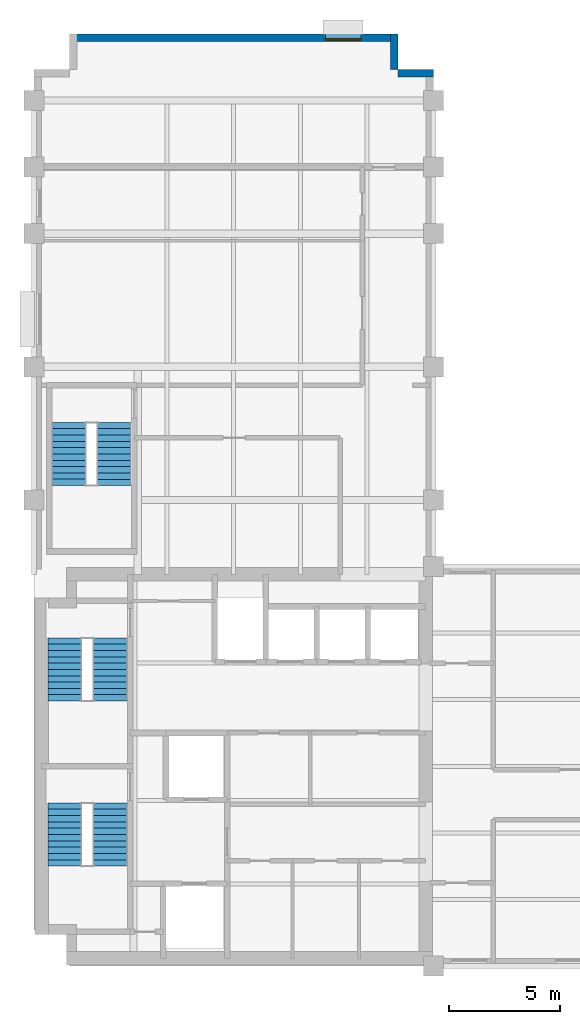
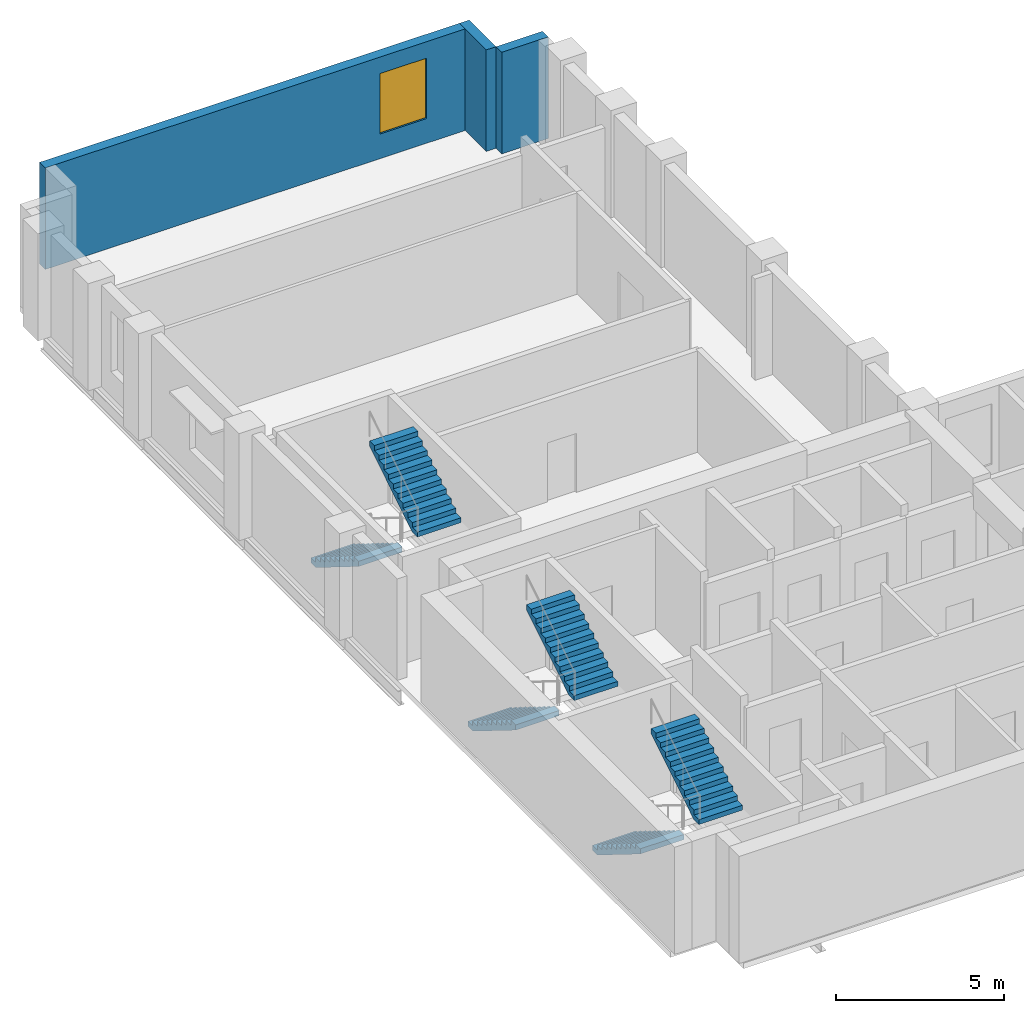
# One storey, part 5 of 7: 6 stair flights, 3 walls, 1 window, 1 opening, 3 elements without a shape of their own.
"""IFC4 building model written with IfcOpenShell, lengths in metres."""

from ifc_helpers import new_model, si_unit, direction, frame, frame_2d, origin, place, context, subcontext, project, spatial, polyline, rectangle, outline, extrude, material, layer, layer_set, type_object, element, fill, aggregate, save


model = new_model("IFC4")

# Units and contexts
model_context = context("Model", 3, precision=1e-05, world=origin(), true_north=direction((0.0, 1.0)))
body_context = subcontext(model_context, "Body", "Model", "MODEL_VIEW")
ifc_project = project(units=[si_unit("LENGTHUNIT", "METRE"), si_unit("AREAUNIT", "SQUARE_METRE"), si_unit("VOLUMEUNIT", "CUBIC_METRE"), si_unit("PLANEANGLEUNIT", "RADIAN"), si_unit("MASSUNIT", "GRAM", prefix="KILO")], contexts=[model_context])

# Site, building, storey
site_placement = place(None, origin())
site = spatial("IfcSite", under=ifc_project, at=site_placement, CompositionType="ELEMENT")
building_placement = place(site_placement, origin())
building = spatial("IfcBuilding", under=site, at=building_placement, Name="Mawjdan Bourse Tower", CompositionType="ELEMENT")
storey_placement = place(building_placement, frame((0.0, 0.0, 168.300048828125)))
storey = spatial("IfcBuildingStorey", under=building, at=storey_placement, Name="L40", CompositionType="ELEMENT", Elevation=168.300048828125)

# Walls
ifc_material_1 = material(Name="Brick Masonry Buff", Category="masonry")
ifc_layer = layer(ifc_material_1, 0.340087890625)
ifc_layer_set = layer_set([ifc_layer], Name="Brick Masonry Buff")
wall_type = type_object("IfcWallType", Name="WL-BRK-SPN-340", PredefinedType="STANDARD", material=ifc_layer_set)
for number, where, z_axis, x_axis, name in (
    (1, (24.0, 43.22998046875, 0.0), (0.0, 0.0, 1.0), (-1.0, 0.0, 0.0), "L40 Exterior Brick Wall 9"),
    (2, (22.22998046875, 43.39990234375, 0.0), (0.0, 0.0, 1.0), (0.0, 1.0, 0.0), "L40 Exterior Brick Wall 10"),
):
    element("IfcWall", number, at=place(storey_placement, frame(where, z_axis=z_axis, x_axis=x_axis)), inside=storey, type_object=wall_type, Name=name, PredefinedType="STANDARD", context=body_context, shape_type="SweptSolid", body=[
        extrude(rectangle(XDim=1.60009765625, YDim=0.340087890625, at=frame_2d((0.800048828125, 0.0))), origin(), (0.0, 0.0, 1.0), 3.699951171875),
    ])

# Wall, opening, window
wall_placement = place(storey_placement, frame((22.39990234375, 44.830078125, 0.0), z_axis=(0.0, 0.0, 1.0), x_axis=(-1.0, 0.0, 0.0)))
wall = element("IfcWall", 3, at=wall_placement, inside=storey, type_object=wall_type, Name="L40 Exterior Brick Wall 11", PredefinedType="STANDARD", context=body_context, shape_type="SweptSolid", body=[
    extrude(rectangle(XDim=14.7998046875, YDim=0.340087890625, at=frame_2d((7.39990234375, 0.0))), origin(), (0.0, 0.0, 1.0), 3.699951171875),
])
opening_placement = place(wall_placement, frame((1.666748046875, 0.0, 0.89990234375)))
opening = element("IfcOpeningElement", 4, at=opening_placement, cuts=wall, Name="Opening W-L40-07", PredefinedType="OPENING", context=body_context, shape_type="SweptSolid", body=[
    extrude(rectangle(XDim=1.60009765625, YDim=2.199951171875, at=frame_2d((0.800048828125, 1.10009765625))), frame((0.0, 0.18017578125, 0.0), z_axis=(0.0, -1.0, 0.0), x_axis=(1.0, 0.0, 0.0)), (0.0, 0.0, 1.0), 0.360107421875),
])
ifc_material_2 = material(Name="Solar-Control Clear Double Glazing", Category="glass")
window_type = type_object("IfcWindowType", Name="WN-Z3-1600", PartitioningType="SINGLE_PANEL", PredefinedType="WINDOW", material=ifc_material_2)
window_placement = place(opening_placement, origin())
window = element("IfcWindow", 5, at=window_placement, inside=storey, type_object=window_type, Name="L40 Deep-Set Masonry Window W-L40-07", OverallHeight=2.199951171875, OverallWidth=1.60009765625, PartitioningType="SINGLE_PANEL", PredefinedType="WINDOW", context=body_context, shape_type="SweptSolid", body=[
    extrude(rectangle(XDim=1.60009765625, YDim=2.199951171875, at=frame_2d((0.800048828125, 1.10009765625))), frame((0.0, 0.110107421875, 0.0), z_axis=(0.0, -1.0, 0.0), x_axis=(1.0, 0.0, 0.0)), (0.0, 0.0, 1.0), 0.06005859375),
])
fill(opening, window)

# Stair, stair flights
ifc_material_3 = material(Name="Concrete C50/60", Category="concrete")
stair_type = type_object("IfcStairType", Name="STR-CORE-1500", PredefinedType="HALF_TURN_STAIR", material=ifc_material_3)
stair_1_placement = place(storey_placement, origin())
stair_1 = element("IfcStair", 6, at=stair_1_placement, inside=storey, type_object=stair_type, Name="L40 Exit Stair 1 (Core South-West)", PredefinedType="HALF_TURN_STAIR")
stair_flight_type = type_object("IfcStairFlightType", Name="SFL-RC-1500", PredefinedType="STRAIGHT", material=ifc_material_3)
stair_flight_1_placement = place(storey_placement, frame((7.389892578125, 10.35009765625, 0.0), z_axis=(0.0, 0.0, 1.0), x_axis=(0.0, -1.0, 0.0)))
stair_flight_1 = element("IfcStairFlight", 7, at=stair_flight_1_placement, type_object=stair_flight_type, Name="ST1-L40 flight 1", NumberOfRisers=11, NumberOfTreads=10, PredefinedType="STRAIGHT", RiserHeight=0.177273, TreadLength=0.285, context=body_context, shape_type="SweptSolid", body=[
    extrude(outline(polyline([(0.0, 0.0), (0.0, 0.17724609375), (0.284912109375, 0.17724609375), (0.284912109375, 0.3544921875), (0.570068359375, 0.3544921875), (0.570068359375, 0.53173828125), (0.85498046875, 0.53173828125), (0.85498046875, 0.708984375), (1.139892578125, 0.708984375), (1.139892578125, 0.886474609375), (1.425048828125, 0.886474609375), (1.425048828125, 1.063720703125), (1.7099609375, 1.063720703125), (1.7099609375, 1.240966796875), (1.9951171875, 1.240966796875), (1.9951171875, 1.418212890625), (2.280029296875, 1.418212890625), (2.280029296875, 1.595458984375), (2.56494140625, 1.595458984375), (2.56494140625, 1.772705078125), (2.85009765625, 1.772705078125), (2.85009765625, 1.949951171875), (2.85009765625, 1.58447265625), (0.302734375, 0.0), (0.0, 0.0)])), frame((0.0, 0.75, 0.0), z_axis=(0.0, -1.0, 0.0), x_axis=(1.0, 0.0, 0.0)), (0.0, 0.0, 1.0), 1.5),
])
stair_flight_2_placement = place(storey_placement, frame((9.409912109375, 7.5, 1.949951171875), z_axis=(0.0, 0.0, 1.0), x_axis=(0.0, 1.0, 0.0)))
stair_flight_2 = element("IfcStairFlight", 8, at=stair_flight_2_placement, type_object=stair_flight_type, Name="ST1-L40 flight 2", NumberOfRisers=11, NumberOfTreads=10, PredefinedType="STRAIGHT", RiserHeight=0.177273, TreadLength=0.285, context=body_context, shape_type="SweptSolid", body=[
    extrude(outline(polyline([(0.0, 0.0), (0.0, 0.17724609375), (0.284912109375, 0.17724609375), (0.284912109375, 0.3544921875), (0.570068359375, 0.3544921875), (0.570068359375, 0.53173828125), (0.85498046875, 0.53173828125), (0.85498046875, 0.708984375), (1.139892578125, 0.708984375), (1.139892578125, 0.886474609375), (1.425048828125, 0.886474609375), (1.425048828125, 1.063720703125), (1.7099609375, 1.063720703125), (1.7099609375, 1.240966796875), (1.9951171875, 1.240966796875), (1.9951171875, 1.418212890625), (2.280029296875, 1.418212890625), (2.280029296875, 1.595458984375), (2.56494140625, 1.595458984375), (2.56494140625, 1.772705078125), (2.85009765625, 1.772705078125), (2.85009765625, 1.949951171875), (2.85009765625, 1.58447265625), (0.302734375, 0.0), (0.0, 0.0)])), frame((0.0, 0.75, 0.0), z_axis=(0.0, -1.0, 0.0), x_axis=(1.0, 0.0, 0.0)), (0.0, 0.0, 1.0), 1.5),
])
aggregate(stair_1, [stair_flight_1, stair_flight_2])

stair_2_placement = place(storey_placement, origin())
stair_2 = element("IfcStair", 9, at=stair_2_placement, inside=storey, type_object=stair_type, Name="L40 Exit Stair 2 (Core North-West)", PredefinedType="HALF_TURN_STAIR")
stair_flight_3_placement = place(storey_placement, frame((7.389892578125, 17.7900390625, 0.0), z_axis=(0.0, 0.0, 1.0), x_axis=(0.0, -1.0, 0.0)))
stair_flight_3 = element("IfcStairFlight", 10, at=stair_flight_3_placement, type_object=stair_flight_type, Name="ST2-L40 flight 1", NumberOfRisers=11, NumberOfTreads=10, PredefinedType="STRAIGHT", RiserHeight=0.177273, TreadLength=0.285, context=body_context, shape_type="SweptSolid", body=[
    extrude(outline(polyline([(0.0, 0.0), (0.0, 0.17724609375), (0.284912109375, 0.17724609375), (0.284912109375, 0.3544921875), (0.570068359375, 0.3544921875), (0.570068359375, 0.53173828125), (0.85498046875, 0.53173828125), (0.85498046875, 0.708984375), (1.139892578125, 0.708984375), (1.139892578125, 0.886474609375), (1.425048828125, 0.886474609375), (1.425048828125, 1.063720703125), (1.7099609375, 1.063720703125), (1.7099609375, 1.240966796875), (1.9951171875, 1.240966796875), (1.9951171875, 1.418212890625), (2.280029296875, 1.418212890625), (2.280029296875, 1.595458984375), (2.56494140625, 1.595458984375), (2.56494140625, 1.772705078125), (2.85009765625, 1.772705078125), (2.85009765625, 1.949951171875), (2.85009765625, 1.58447265625), (0.302734375, 0.0), (0.0, 0.0)])), frame((0.0, 0.75, 0.0), z_axis=(0.0, -1.0, 0.0), x_axis=(1.0, 0.0, 0.0)), (0.0, 0.0, 1.0), 1.5),
])
stair_flight_4_placement = place(storey_placement, frame((9.409912109375, 14.93994140625, 1.949951171875), z_axis=(0.0, 0.0, 1.0), x_axis=(0.0, 1.0, 0.0)))
stair_flight_4 = element("IfcStairFlight", 11, at=stair_flight_4_placement, type_object=stair_flight_type, Name="ST2-L40 flight 2", NumberOfRisers=11, NumberOfTreads=10, PredefinedType="STRAIGHT", RiserHeight=0.177273, TreadLength=0.285, context=body_context, shape_type="SweptSolid", body=[
    extrude(outline(polyline([(0.0, 0.0), (0.0, 0.17724609375), (0.284912109375, 0.17724609375), (0.284912109375, 0.3544921875), (0.570068359375, 0.3544921875), (0.570068359375, 0.53173828125), (0.85498046875, 0.53173828125), (0.85498046875, 0.708984375), (1.139892578125, 0.708984375), (1.139892578125, 0.886474609375), (1.425048828125, 0.886474609375), (1.425048828125, 1.063720703125), (1.7099609375, 1.063720703125), (1.7099609375, 1.240966796875), (1.9951171875, 1.240966796875), (1.9951171875, 1.418212890625), (2.280029296875, 1.418212890625), (2.280029296875, 1.595458984375), (2.56494140625, 1.595458984375), (2.56494140625, 1.772705078125), (2.85009765625, 1.772705078125), (2.85009765625, 1.949951171875), (2.85009765625, 1.58447265625), (0.302734375, 0.0), (0.0, 0.0)])), frame((0.0, 0.75, 0.0), z_axis=(0.0, -1.0, 0.0), x_axis=(1.0, 0.0, 0.0)), (0.0, 0.0, 1.0), 1.5),
])
aggregate(stair_2, [stair_flight_3, stair_flight_4])

stair_3_placement = place(storey_placement, origin())
stair_3 = element("IfcStair", 12, at=stair_3_placement, inside=storey, type_object=stair_type, Name="L40 Exit Stair 3 (North Wing)", PredefinedType="HALF_TURN_STAIR")
stair_flight_5_placement = place(storey_placement, frame((7.590087890625, 27.5, 0.0), z_axis=(0.0, 0.0, 1.0), x_axis=(0.0, -1.0, 0.0)))
stair_flight_5 = element("IfcStairFlight", 13, at=stair_flight_5_placement, type_object=stair_flight_type, Name="ST3-L40 flight 1", NumberOfRisers=11, NumberOfTreads=10, PredefinedType="STRAIGHT", RiserHeight=0.177273, TreadLength=0.285, context=body_context, shape_type="SweptSolid", body=[
    extrude(outline(polyline([(0.0, 0.0), (0.0, 0.17724609375), (0.284912109375, 0.17724609375), (0.284912109375, 0.3544921875), (0.570068359375, 0.3544921875), (0.570068359375, 0.53173828125), (0.85498046875, 0.53173828125), (0.85498046875, 0.708984375), (1.139892578125, 0.708984375), (1.139892578125, 0.886474609375), (1.425048828125, 0.886474609375), (1.425048828125, 1.063720703125), (1.7099609375, 1.063720703125), (1.7099609375, 1.240966796875), (1.9951171875, 1.240966796875), (1.9951171875, 1.418212890625), (2.280029296875, 1.418212890625), (2.280029296875, 1.595458984375), (2.56494140625, 1.595458984375), (2.56494140625, 1.772705078125), (2.85009765625, 1.772705078125), (2.85009765625, 1.949951171875), (2.85009765625, 1.58447265625), (0.302734375, 0.0), (0.0, 0.0)])), frame((0.0, 0.75, 0.0), z_axis=(0.0, -1.0, 0.0), x_axis=(1.0, 0.0, 0.0)), (0.0, 0.0, 1.0), 1.5),
])
stair_flight_6_placement = place(storey_placement, frame((9.610107421875, 24.64990234375, 1.949951171875), z_axis=(0.0, 0.0, 1.0), x_axis=(0.0, 1.0, 0.0)))
stair_flight_6 = element("IfcStairFlight", 14, at=stair_flight_6_placement, type_object=stair_flight_type, Name="ST3-L40 flight 2", NumberOfRisers=11, NumberOfTreads=10, PredefinedType="STRAIGHT", RiserHeight=0.177273, TreadLength=0.285, context=body_context, shape_type="SweptSolid", body=[
    extrude(outline(polyline([(0.0, 0.0), (0.0, 0.17724609375), (0.284912109375, 0.17724609375), (0.284912109375, 0.3544921875), (0.570068359375, 0.3544921875), (0.570068359375, 0.53173828125), (0.85498046875, 0.53173828125), (0.85498046875, 0.708984375), (1.139892578125, 0.708984375), (1.139892578125, 0.886474609375), (1.425048828125, 0.886474609375), (1.425048828125, 1.063720703125), (1.7099609375, 1.063720703125), (1.7099609375, 1.240966796875), (1.9951171875, 1.240966796875), (1.9951171875, 1.418212890625), (2.280029296875, 1.418212890625), (2.280029296875, 1.595458984375), (2.56494140625, 1.595458984375), (2.56494140625, 1.772705078125), (2.85009765625, 1.772705078125), (2.85009765625, 1.949951171875), (2.85009765625, 1.58447265625), (0.302734375, 0.0), (0.0, 0.0)])), frame((0.0, 0.75, 0.0), z_axis=(0.0, -1.0, 0.0), x_axis=(1.0, 0.0, 0.0)), (0.0, 0.0, 1.0), 1.5),
])
aggregate(stair_3, [stair_flight_5, stair_flight_6])

save(model, "model.ifc")
